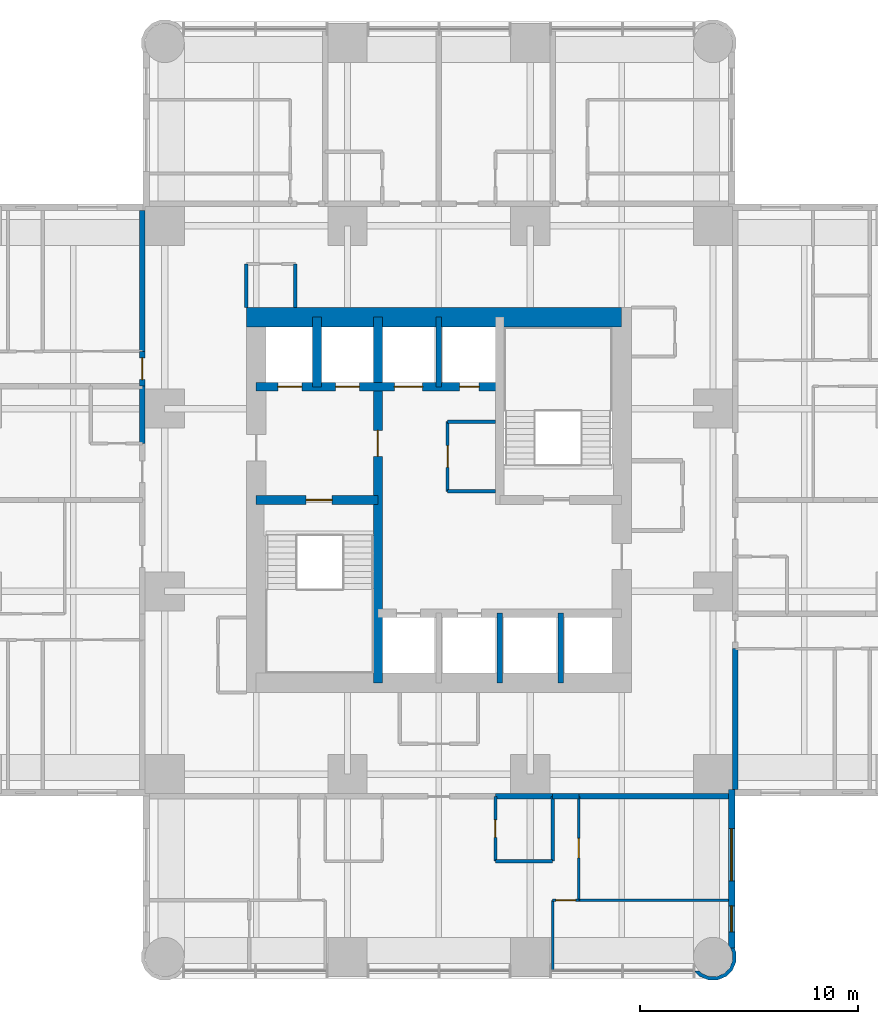
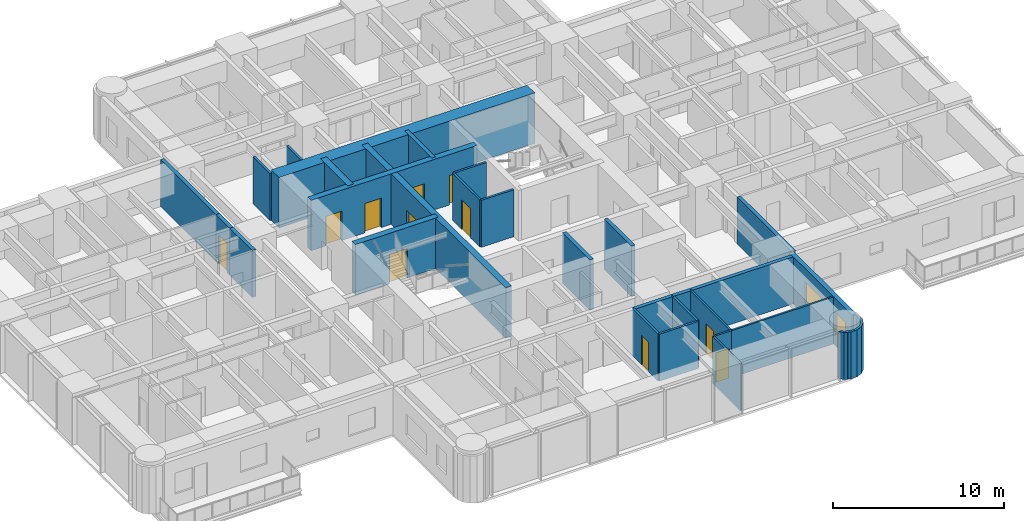
# One storey, part 8 of 14: 29 walls, 11 doors, 2 windows, 13 openings.
"""IFC4 building model written with IfcOpenShell, lengths in metres."""

from ifc_helpers import new_model, si_unit, direction, frame, frame_2d, origin, place, context, subcontext, project, spatial, polyline, rectangle, outline, extrude, material, layer, layer_set, type_object, element, fill, save


model = new_model("IFC4")

# Units and contexts
model_context = context("Model", 3, precision=1e-05, world=origin(), true_north=direction((0.0, 1.0)))
body_context = subcontext(model_context, "Body", "Model", "MODEL_VIEW")
ifc_project = project(units=[si_unit("LENGTHUNIT", "METRE"), si_unit("AREAUNIT", "SQUARE_METRE"), si_unit("VOLUMEUNIT", "CUBIC_METRE"), si_unit("PLANEANGLEUNIT", "RADIAN"), si_unit("MASSUNIT", "GRAM", prefix="KILO")], contexts=[model_context])

# Site, building, storey
site_placement = place(None, origin())
site = spatial("IfcSite", under=ifc_project, at=site_placement, CompositionType="ELEMENT")
building_placement = place(site_placement, origin())
building = spatial("IfcBuilding", under=site, at=building_placement, Name="Torre Alcanfor", CompositionType="ELEMENT")
storey_placement = place(building_placement, frame((0.0, 0.0, 173.699951171875)))
storey = spatial("IfcBuildingStorey", under=building, at=storey_placement, Name="L45", CompositionType="ELEMENT", Elevation=173.699951171875)

# Walls
ifc_material_1 = material(Name="Concrete block masonry, hollow blocks NMX-C-404 9 MPa", Category="masonry")
ifc_layer_1 = layer(ifc_material_1, 0.25)
ifc_layer_set_1 = layer_set([ifc_layer_1], Name="Apartment entrance wall 250 EI 60")
wall_type_1 = type_object("IfcWallType", Name="Apartment entrance wall 250 EI 60", PredefinedType="PARTITIONING", material=ifc_layer_set_1)
wall_1_placement = place(storey_placement, frame((43.02490234375, 22.571044921875, 0.0), z_axis=(0.0, 0.0, 1.0), x_axis=(0.0, -1.0, 0.0)))
element("IfcWall", 1, at=wall_1_placement, inside=storey, type_object=wall_type_1, Name="Partition L45-CORR / L45-E2B-BED2", PredefinedType="PARTITIONING", context=body_context, shape_type="SweptSolid", body=[
    extrude(rectangle(XDim=6.470947265625, YDim=0.25, at=frame_2d((3.2353515625, 0.0))), origin(), (0.0, 0.0, 1.0), 3.35009765625),
])
wall_2_placement = place(storey_placement, frame((34.62890625, 15.77490234375, 0.0), z_axis=(0.0, 0.0, 1.0), x_axis=(-1.0, 0.0, 0.0)))
element("IfcWall", 2, at=wall_2_placement, inside=storey, type_object=wall_type_1, Name="Partition L45-CORR / L45-SX-BATH2", PredefinedType="PARTITIONING", context=body_context, shape_type="SweptSolid", body=[
    extrude(rectangle(XDim=2.62890625, YDim=0.25, at=frame_2d((1.314453125, 0.0))), origin(), (0.0, 0.0, 1.0), 3.35009765625),
])
wall_3_placement = place(storey_placement, frame((35.8291015625, 15.77490234375, 0.0), z_axis=(0.0, 0.0, 1.0), x_axis=(-1.0, 0.0, 0.0)))
element("IfcWall", 3, at=wall_3_placement, inside=storey, type_object=wall_type_1, Name="Partition L45-CORR / L45-SX-LIVING", PredefinedType="PARTITIONING", context=body_context, shape_type="SweptSolid", body=[
    extrude(rectangle(XDim=1.2001953125, YDim=0.25, at=frame_2d((0.60009765625, 0.0))), origin(), (0.0, 0.0, 1.0), 3.35009765625),
])
wall_4_placement = place(storey_placement, frame((42.699951171875, 15.77490234375, 0.0), z_axis=(0.0, 0.0, 1.0), x_axis=(-1.0, 0.0, 0.0)))
element("IfcWall", 4, at=wall_4_placement, inside=storey, type_object=wall_type_1, Name="Partition L45-CORR / L45-SX-BED2", PredefinedType="PARTITIONING", context=body_context, shape_type="SweptSolid", body=[
    extrude(rectangle(XDim=6.870849609375, YDim=0.25, at=frame_2d((3.435546875, 0.0))), origin(), (0.0, 0.0, 1.0), 3.35009765625),
])
wall_5_placement = place(storey_placement, frame((15.77490234375, 32.0, 0.0), z_axis=(0.0, 0.0, 1.0), x_axis=(0.0, 1.0, 0.0)))
element("IfcWall", 5, at=wall_5_placement, inside=storey, type_object=wall_type_1, Name="Partition L45-CORR / L45-W2A-BATH", PredefinedType="PARTITIONING", context=body_context, shape_type="SweptSolid", body=[
    extrude(rectangle(XDim=2.62890625, YDim=0.25, at=frame_2d((1.314453125, 0.0))), origin(), (0.0, 0.0, 1.0), 3.35009765625),
])

# Wall, opening, door
wall_6_placement = place(storey_placement, frame((15.77490234375, 34.62890625, 0.0), z_axis=(0.0, 0.0, 1.0), x_axis=(0.0, 1.0, 0.0)))
wall_6 = element("IfcWall", 6, at=wall_6_placement, inside=storey, type_object=wall_type_1, Name="Partition L45-CORR / L45-W2B-HALL", PredefinedType="PARTITIONING", context=body_context, shape_type="SweptSolid", body=[
    extrude(rectangle(XDim=1.60009765625, YDim=0.25, at=frame_2d((0.800048828125, 0.0))), origin(), (0.0, 0.0, 1.0), 3.35009765625),
])
opening_1_placement = place(wall_6_placement, frame((0.300048828125, 0.0, 0.0)))
opening_1 = element("IfcOpeningElement", 7, at=opening_1_placement, cuts=wall_6, Name="Opening D-A1", PredefinedType="OPENING", context=body_context, shape_type="SweptSolid", body=[
    extrude(rectangle(XDim=1.0, YDim=2.10009765625, at=frame_2d((0.5, 1.050048828125))), frame((0.0, 0.135009765625, 0.0), z_axis=(0.0, -1.0, 0.0), x_axis=(1.0, 0.0, 0.0)), (0.0, 0.0, 1.0), 0.27001953125),
])
ifc_material_2 = material(Name="Galvanised steel sheet ASTM A653", Category="steel")
door_type_1 = type_object("IfcDoorType", Name="Apartment entrance door FD60 1000x2100", OperationType="SINGLE_SWING_LEFT", PredefinedType="DOOR", material=ifc_material_2)
door_1_placement = place(opening_1_placement, origin())
door_1 = element("IfcDoor", 8, at=door_1_placement, inside=storey, type_object=door_type_1, Name="Apartment entrance L45-W2B", OperationType="SINGLE_SWING_LEFT", OverallHeight=2.10009765625, OverallWidth=1.0, PredefinedType="DOOR", context=body_context, shape_type="SweptSolid", body=[
    extrude(rectangle(XDim=1.0, YDim=2.10009765625, at=frame_2d((0.5, 1.050048828125))), frame((0.0, 0.02490234375, 0.0), z_axis=(0.0, -1.0, 0.0), x_axis=(1.0, 0.0, 0.0)), (0.0, 0.0, 1.0), 0.050048828125),
])
fill(opening_1, door_1)

# Wall
wall_7_placement = place(storey_placement, frame((15.77490234375, 36.22900390625, 0.0), z_axis=(0.0, 0.0, 1.0), x_axis=(0.0, 1.0, 0.0)))
element("IfcWall", 9, at=wall_7_placement, inside=storey, type_object=wall_type_1, Name="Partition L45-CORR / L45-W2B-MASTER", PredefinedType="PARTITIONING", context=body_context, shape_type="SweptSolid", body=[
    extrude(rectangle(XDim=6.470947265625, YDim=0.25, at=frame_2d((3.2353515625, 0.0))), origin(), (0.0, 0.0, 1.0), 3.35009765625),
])

# Wall, opening, door
ifc_material_3 = material(Name="Gypsum board on steel studs", Category="steel")
ifc_layer_2 = layer(ifc_material_3, 0.1201171875)
ifc_layer_set_2 = layer_set([ifc_layer_2], Name="Apartment partition 120")
wall_type_2 = type_object("IfcWallType", Name="Apartment partition 120", PredefinedType="PARTITIONING", material=ifc_layer_set_2)
wall_8_placement = place(storey_placement, frame((35.8291015625, 15.77490234375, 0.0), z_axis=(0.0, 0.0, 1.0), x_axis=(0.0, -1.0, 0.0)))
wall_8 = element("IfcWall", 10, at=wall_8_placement, inside=storey, type_object=wall_type_2, Name="Partition L45-SX-LIVING / L45-SX-BED2", PredefinedType="PARTITIONING", context=body_context, shape_type="SweptSolid", body=[
    extrude(rectangle(XDim=4.77490234375, YDim=0.1201171875, at=frame_2d((2.387451171875, 0.0))), origin(), (0.0, 0.0, 1.0), 3.35009765625),
])
opening_2_placement = place(wall_8_placement, frame((1.925048828125, 0.0, 0.0)))
opening_2 = element("IfcOpeningElement", 11, at=opening_2_placement, cuts=wall_8, Name="Opening D-R1", PredefinedType="OPENING", context=body_context, shape_type="SweptSolid", body=[
    extrude(rectangle(XDim=0.89990234375, YDim=2.10009765625, at=frame_2d((0.449951171875, 1.050048828125))), frame((0.0, 0.070068359375, 0.0), z_axis=(0.0, -1.0, 0.0), x_axis=(1.0, 0.0, 0.0)), (0.0, 0.0, 1.0), 0.14013671875),
])
ifc_material_4 = material(Name="Timber", Category="wood")
door_type_2 = type_object("IfcDoorType", Name="Internal door 900x2100", OperationType="SINGLE_SWING_LEFT", PredefinedType="DOOR", material=ifc_material_4)
door_2_placement = place(opening_2_placement, origin())
door_2 = element("IfcDoor", 12, at=door_2_placement, inside=storey, type_object=door_type_2, Name="Door L45-SX bed2", OperationType="SINGLE_SWING_LEFT", OverallHeight=2.10009765625, OverallWidth=0.89990234375, PredefinedType="DOOR", context=body_context, shape_type="SweptSolid", body=[
    extrude(rectangle(XDim=0.89990234375, YDim=2.10009765625, at=frame_2d((0.449951171875, 1.050048828125))), frame((0.0, 0.02490234375, 0.0), z_axis=(0.0, -1.0, 0.0), x_axis=(1.0, 0.0, 0.0)), (0.0, 0.0, 1.0), 0.050048828125),
])
fill(opening_2, door_2)

wall_9_placement = place(storey_placement, frame((35.8291015625, 11.0, 0.0), z_axis=(0.0, 0.0, 1.0), x_axis=(-1.0, 0.0, 0.0)))
wall_9 = element("IfcWall", 13, at=wall_9_placement, inside=storey, type_object=wall_type_2, Name="Partition L45-SX-LIVING / L45-SX-MASTER", PredefinedType="PARTITIONING", context=body_context, shape_type="SweptSolid", body=[
    extrude(rectangle(XDim=1.2001953125, YDim=0.1201171875, at=frame_2d((0.60009765625, 0.0))), origin(), (0.0, 0.0, 1.0), 3.35009765625),
])
opening_3_placement = place(wall_9_placement, frame((0.14892578125, 0.0, 0.0)))
opening_3 = element("IfcOpeningElement", 14, at=opening_3_placement, cuts=wall_9, Name="Opening D-R1", PredefinedType="OPENING", context=body_context, shape_type="SweptSolid", body=[
    extrude(rectangle(XDim=0.89990234375, YDim=2.10009765625, at=frame_2d((0.449951171875, 1.050048828125))), frame((0.0, 0.070068359375, 0.0), z_axis=(0.0, -1.0, 0.0), x_axis=(1.0, 0.0, 0.0)), (0.0, 0.0, 1.0), 0.14013671875),
])
door_3_placement = place(opening_3_placement, origin())
door_3 = element("IfcDoor", 15, at=door_3_placement, inside=storey, type_object=door_type_2, Name="Door L45-SX master", OperationType="SINGLE_SWING_RIGHT", OverallHeight=2.10009765625, OverallWidth=0.89990234375, PredefinedType="DOOR", context=body_context, shape_type="SweptSolid", body=[
    extrude(rectangle(XDim=0.89990234375, YDim=2.10009765625, at=frame_2d((0.449951171875, 1.050048828125))), frame((0.0, 0.02490234375, 0.0), z_axis=(0.0, -1.0, 0.0), x_axis=(1.0, 0.0, 0.0)), (0.0, 0.0, 1.0), 0.050048828125),
])
fill(opening_3, door_3)

# Walls
wall_10_placement = place(storey_placement, frame((34.62890625, 11.0, 0.0), z_axis=(0.0, 0.0, 1.0), x_axis=(0.0, -1.0, 0.0)))
element("IfcWall", 16, at=wall_10_placement, inside=storey, type_object=wall_type_2, Name="Partition L45-SX-LIVING / L45-SX-MASTER", PredefinedType="PARTITIONING", context=body_context, shape_type="SweptSolid", body=[
    extrude(rectangle(XDim=3.25, YDim=0.1201171875, at=frame_2d((1.625, 0.0))), origin(), (0.0, 0.0, 1.0), 3.35009765625),
])
wall_11_placement = place(storey_placement, frame((35.8291015625, 11.0, 0.0), z_axis=(0.0, 0.0, 1.0), x_axis=(1.0, 0.0, 0.0)))
element("IfcWall", 17, at=wall_11_placement, inside=storey, type_object=wall_type_2, Name="Partition L45-SX-BED2 / L45-SX-MASTER", PredefinedType="PARTITIONING", context=body_context, shape_type="SweptSolid", body=[
    extrude(rectangle(XDim=6.870849609375, YDim=0.1201171875, at=frame_2d((3.435546875, 0.0))), origin(), (0.0, 0.0, 1.0), 3.35009765625),
])

# Wall, opening, door
ifc_material_5 = material(Name="Concrete f'c 70 MPa", Category="concrete")
ifc_layer_3 = layer(ifc_material_5, 0.39990234375)
ifc_layer_set_3 = layer_set([ifc_layer_3], Name="Core inner wall 400 f'c70")
wall_type_3 = type_object("IfcWallType", Name="Core inner wall 400 f'c70", PredefinedType="SHEAR", material=ifc_layer_set_3)
wall_12_placement = place(storey_placement, frame((26.60009765625, 21.0, 0.0), z_axis=(0.0, 0.0, 1.0), x_axis=(0.0, 1.0, 0.0)))
wall_12 = element("IfcWall", 18, at=wall_12_placement, inside=storey, type_object=wall_type_3, Name="Core wall X266 L45", PredefinedType="SHEAR", context=body_context, shape_type="SweptSolid", body=[
    extrude(rectangle(XDim=16.800048828125, YDim=0.39990234375, at=frame_2d((8.39990234375, 0.0))), origin(), (0.0, 0.0, 1.0), 3.60009765625),
])
opening_4_placement = place(wall_12_placement, frame((10.39990234375, 0.0, 0.0)))
opening_4 = element("IfcOpeningElement", 19, at=opening_4_placement, cuts=wall_12, Name="Opening D-L1", PredefinedType="OPENING", context=body_context, shape_type="SweptSolid", body=[
    extrude(rectangle(XDim=1.199951171875, YDim=2.10009765625, at=frame_2d((0.60009765625, 1.050048828125))), frame((0.0, 0.2099609375, 0.0), z_axis=(0.0, -1.0, 0.0), x_axis=(1.0, 0.0, 0.0)), (0.0, 0.0, 1.0), 0.419921875),
])
ifc_material_6 = material(Name="Galvanised steel sheet ASTM A653", Category="steel")
door_type_3 = type_object("IfcDoorType", Name="Lobby door FD120 1200x2100", OperationType="SINGLE_SWING_LEFT", PredefinedType="DOOR", material=ifc_material_6)
door_4_placement = place(opening_4_placement, origin())
door_4 = element("IfcDoor", 20, at=door_4_placement, inside=storey, type_object=door_type_3, Name="Lift lobby door L45", OperationType="SINGLE_SWING_LEFT", OverallHeight=2.10009765625, OverallWidth=1.199951171875, PredefinedType="DOOR", context=body_context, shape_type="SweptSolid", body=[
    extrude(rectangle(XDim=1.199951171875, YDim=2.10009765625, at=frame_2d((0.60009765625, 1.050048828125))), frame((0.0, 0.02490234375, 0.0), z_axis=(0.0, -1.0, 0.0), x_axis=(1.0, 0.0, 0.0)), (0.0, 0.0, 1.0), 0.050048828125),
])
fill(opening_4, door_4)

wall_13_placement = place(storey_placement, frame((21.0, 29.39990234375, 0.0), z_axis=(0.0, 0.0, 1.0), x_axis=(1.0, 0.0, 0.0)))
wall_13 = element("IfcWall", 21, at=wall_13_placement, inside=storey, type_object=wall_type_3, Name="Core wall Y294W L45", PredefinedType="SHEAR", context=body_context, shape_type="SweptSolid", body=[
    extrude(rectangle(XDim=5.60009765625, YDim=0.39990234375, at=frame_2d((2.800048828125, 0.0))), origin(), (0.0, 0.0, 1.0), 3.60009765625),
])
opening_5_placement = place(wall_13_placement, frame((2.300048828125, 0.0, 0.0)))
opening_5 = element("IfcOpeningElement", 22, at=opening_5_placement, cuts=wall_13, Name="Opening D-S2", PredefinedType="OPENING", context=body_context, shape_type="SweptSolid", body=[
    extrude(rectangle(XDim=1.199951171875, YDim=2.10009765625, at=frame_2d((0.60009765625, 1.050048828125))), frame((0.0, 0.2099609375, 0.0), z_axis=(0.0, -1.0, 0.0), x_axis=(1.0, 0.0, 0.0)), (0.0, 0.0, 1.0), 0.419921875),
])
ifc_material_7 = material(Name="Galvanised steel sheet ASTM A653", Category="steel")
door_type_4 = type_object("IfcDoorType", Name="Stair enclosure door FD120 1200x2100", OperationType="SINGLE_SWING_LEFT", PredefinedType="DOOR", material=ifc_material_7)
door_5_placement = place(opening_5_placement, frame((1.199951171875, 0.0, 0.0), z_axis=(0.0, 0.0, 1.0), x_axis=(-1.0, 0.0, 0.0)))
door_5 = element("IfcDoor", 23, at=door_5_placement, inside=storey, type_object=door_type_4, Name="Stair S1 door L45", OperationType="SINGLE_SWING_LEFT", OverallHeight=2.10009765625, OverallWidth=1.199951171875, PredefinedType="DOOR", context=body_context, shape_type="SweptSolid", body=[
    extrude(rectangle(XDim=1.199951171875, YDim=2.10009765625, at=frame_2d((0.599853515625, 1.050048828125))), frame((0.0, 0.025146484375, 0.0), z_axis=(0.0, -1.0, 0.0), x_axis=(1.0, 0.0, 0.0)), (0.0, 0.0, 1.0), 0.050048828125),
])
fill(opening_5, door_5)

# Wall, openings, doors
wall_14_placement = place(storey_placement, frame((21.0, 34.60009765625, 0.0), z_axis=(0.0, 0.0, 1.0), x_axis=(1.0, 0.0, 0.0)))
wall_14 = element("IfcWall", 24, at=wall_14_placement, inside=storey, type_object=wall_type_3, Name="Core wall Y346 L45", PredefinedType="SHEAR", context=body_context, shape_type="SweptSolid", body=[
    extrude(rectangle(XDim=11.199951171875, YDim=0.39990234375, at=frame_2d((5.60009765625, 0.0))), origin(), (0.0, 0.0, 1.0), 3.60009765625),
])
opening_6_placement = place(wall_14_placement, frame((9.35009765625, 0.0, 0.0)))
opening_6 = element("IfcOpeningElement", 25, at=opening_6_placement, cuts=wall_14, Name="Opening D-Q1", PredefinedType="OPENING", context=body_context, shape_type="SweptSolid", body=[
    extrude(rectangle(XDim=0.89990234375, YDim=2.10009765625, at=frame_2d((0.449951171875, 1.050048828125))), frame((0.0, 0.2099609375, 0.0), z_axis=(0.0, -1.0, 0.0), x_axis=(1.0, 0.0, 0.0)), (0.0, 0.0, 1.0), 0.419921875),
])
opening_7_placement = place(wall_14_placement, frame((1.0, 0.0, 0.0)))
opening_7 = element("IfcOpeningElement", 26, at=opening_7_placement, cuts=wall_14, Name="Opening LD2", PredefinedType="OPENING", context=body_context, shape_type="SweptSolid", body=[
    extrude(rectangle(XDim=1.10009765625, YDim=2.10009765625, at=frame_2d((0.550048828125, 1.050048828125))), frame((0.0, 0.2099609375, 0.0), z_axis=(0.0, -1.0, 0.0), x_axis=(1.0, 0.0, 0.0)), (0.0, 0.0, 1.0), 0.419921875),
])
opening_8_placement = place(wall_14_placement, frame((3.64990234375, 0.0, 0.0)))
opening_8 = element("IfcOpeningElement", 27, at=opening_8_placement, cuts=wall_14, Name="Opening LD2", PredefinedType="OPENING", context=body_context, shape_type="SweptSolid", body=[
    extrude(rectangle(XDim=1.10009765625, YDim=2.10009765625, at=frame_2d((0.550048828125, 1.050048828125))), frame((0.0, 0.2099609375, 0.0), z_axis=(0.0, -1.0, 0.0), x_axis=(1.0, 0.0, 0.0)), (0.0, 0.0, 1.0), 0.419921875),
])
opening_9_placement = place(wall_14_placement, frame((6.35009765625, 0.0, 0.0)))
opening_9 = element("IfcOpeningElement", 28, at=opening_9_placement, cuts=wall_14, Name="Opening LD3", PredefinedType="OPENING", context=body_context, shape_type="SweptSolid", body=[
    extrude(rectangle(XDim=1.300048828125, YDim=2.10009765625, at=frame_2d((0.64990234375, 1.050048828125))), frame((0.0, 0.2099609375, 0.0), z_axis=(0.0, -1.0, 0.0), x_axis=(1.0, 0.0, 0.0)), (0.0, 0.0, 1.0), 0.419921875),
])
ifc_material_8 = material(Name="Galvanised steel sheet ASTM A653", Category="steel")
door_type_5 = type_object("IfcDoorType", Name="Firefighting lift landing door 1100x2100", OperationType="DOUBLE_DOOR_SLIDING", PredefinedType="DOOR", material=ifc_material_8)
door_6_placement = place(opening_7_placement, origin())
door_6 = element("IfcDoor", 29, at=door_6_placement, inside=storey, type_object=door_type_5, Name="Lift landing door FL1 L45", OperationType="DOUBLE_DOOR_SLIDING", OverallHeight=2.10009765625, OverallWidth=1.10009765625, PredefinedType="DOOR", context=body_context, shape_type="SweptSolid", body=[
    extrude(rectangle(XDim=1.10009765625, YDim=2.10009765625, at=frame_2d((0.550048828125, 1.050048828125))), frame((0.0, 0.02490234375, 0.0), z_axis=(0.0, -1.0, 0.0), x_axis=(1.0, 0.0, 0.0)), (0.0, 0.0, 1.0), 0.050048828125),
])
fill(opening_7, door_6)
door_7_placement = place(opening_8_placement, origin())
door_7 = element("IfcDoor", 30, at=door_7_placement, inside=storey, type_object=door_type_5, Name="Lift landing door FL2 L45", OperationType="DOUBLE_DOOR_SLIDING", OverallHeight=2.10009765625, OverallWidth=1.10009765625, PredefinedType="DOOR", context=body_context, shape_type="SweptSolid", body=[
    extrude(rectangle(XDim=1.10009765625, YDim=2.10009765625, at=frame_2d((0.550048828125, 1.050048828125))), frame((0.0, 0.02490234375, 0.0), z_axis=(0.0, -1.0, 0.0), x_axis=(1.0, 0.0, 0.0)), (0.0, 0.0, 1.0), 0.050048828125),
])
fill(opening_8, door_7)
ifc_material_9 = material(Name="Galvanised steel sheet ASTM A653", Category="steel")
door_type_6 = type_object("IfcDoorType", Name="Riser access door FD120 900x2100", OperationType="SINGLE_SWING_LEFT", PredefinedType="DOOR", material=ifc_material_9)
door_8_placement = place(opening_6_placement, origin())
door_8 = element("IfcDoor", 31, at=door_8_placement, inside=storey, type_object=door_type_6, Name="Riser door L45", OperationType="SINGLE_SWING_LEFT", OverallHeight=2.10009765625, OverallWidth=0.89990234375, PredefinedType="DOOR", context=body_context, shape_type="SweptSolid", body=[
    extrude(rectangle(XDim=0.89990234375, YDim=2.10009765625, at=frame_2d((0.449951171875, 1.050048828125))), frame((0.0, 0.02490234375, 0.0), z_axis=(0.0, -1.0, 0.0), x_axis=(1.0, 0.0, 0.0)), (0.0, 0.0, 1.0), 0.050048828125),
])
fill(opening_6, door_8)
ifc_material_10 = material(Name="Galvanised steel sheet ASTM A653", Category="steel")
door_type_7 = type_object("IfcDoorType", Name="Service lift landing door 1300x2100", OperationType="DOUBLE_DOOR_SLIDING", PredefinedType="DOOR", material=ifc_material_10)
door_9_placement = place(opening_9_placement, origin())
door_9 = element("IfcDoor", 32, at=door_9_placement, inside=storey, type_object=door_type_7, Name="Lift landing door SL1 L45", OperationType="DOUBLE_DOOR_SLIDING", OverallHeight=2.10009765625, OverallWidth=1.300048828125, PredefinedType="DOOR", context=body_context, shape_type="SweptSolid", body=[
    extrude(rectangle(XDim=1.300048828125, YDim=2.10009765625, at=frame_2d((0.64990234375, 1.050048828125))), frame((0.0, 0.02490234375, 0.0), z_axis=(0.0, -1.0, 0.0), x_axis=(1.0, 0.0, 0.0)), (0.0, 0.0, 1.0), 0.050048828125),
])
fill(opening_9, door_9)

# Walls
wall_15_placement = place(storey_placement, frame((23.800048828125, 34.60009765625, 0.0), z_axis=(0.0, 0.0, 1.0), x_axis=(0.0, 1.0, 0.0)))
element("IfcWall", 33, at=wall_15_placement, inside=storey, type_object=wall_type_3, Name="Core wall X238 L45", PredefinedType="SHEAR", context=body_context, shape_type="SweptSolid", body=[
    extrude(rectangle(XDim=3.199951171875, YDim=0.39990234375, at=frame_2d((1.60009765625, 0.0))), origin(), (0.0, 0.0, 1.0), 3.60009765625),
])
ifc_material_11 = material(Name="Concrete f'c 70 MPa", Category="concrete")
ifc_layer_4 = layer(ifc_material_11, 0.25)
ifc_layer_set_4 = layer_set([ifc_layer_4], Name="Core shaft wall 250 f'c70")
wall_type_4 = type_object("IfcWallType", Name="Core shaft wall 250 f'c70", PredefinedType="SHEAR", material=ifc_layer_set_4)
for number, where, z_axis, x_axis, name in (
    (34, (32.199951171875, 21.0, 0.0), (0.0, 0.0, 1.0), (0.0, 1.0, 0.0), "Core wall X322S L45"),
    (35, (35.0, 21.0, 0.0), (0.0, 0.0, 1.0), (0.0, 1.0, 0.0), "Core wall X350S L45"),
    (36, (29.39990234375, 34.60009765625, 0.0), (0.0, 0.0, 1.0), (0.0, 1.0, 0.0), "Core wall X294N L45"),
):
    element("IfcWall", number, at=place(storey_placement, frame(where, z_axis=z_axis, x_axis=x_axis)), inside=storey, type_object=wall_type_4, Name=name, PredefinedType="SHEAR", context=body_context, shape_type="SweptSolid", body=[
        extrude(rectangle(XDim=3.199951171875, YDim=0.25, at=frame_2d((1.60009765625, 0.0))), origin(), (0.0, 0.0, 1.0), 3.60009765625),
    ])
ifc_material_12 = material(Name="Concrete f'c 70 MPa", Category="concrete")
ifc_layer_5 = layer(ifc_material_12, 0.89990234375)
ifc_layer_set_5 = layer_set([ifc_layer_5], Name="Core wall 900 f'c70")
wall_type_5 = type_object("IfcWallType", Name="Core wall 900 f'c70", PredefinedType="SHEAR", material=ifc_layer_set_5)
wall_16_placement = place(storey_placement, frame((37.800048828125, 37.800048828125, 0.0), z_axis=(0.0, 0.0, 1.0), x_axis=(-1.0, 0.0, 0.0)))
element("IfcWall", 37, at=wall_16_placement, inside=storey, type_object=wall_type_5, Name="Core wall OUT-N L45", PredefinedType="SHEAR", context=body_context, shape_type="SweptSolid", body=[
    extrude(rectangle(XDim=17.25, YDim=0.89990234375, at=frame_2d((8.625, 0.0))), origin(), (0.0, 0.0, 1.0), 3.60009765625),
])

# Wall, openings, windows
ifc_material_13 = material(Name="Limestone cladding", Category="masonry")
ifc_layer_6 = layer(ifc_material_13, 0.0400390625, Name="Facing")
ifc_material_14 = material(Name="Ventilated air cavity")
ifc_layer_7 = layer(ifc_material_14, 0.02001953125, ventilated=True, Name="Ventilated joint")
ifc_material_15 = material(Name="Mineral wool insulation", Category="insulation")
ifc_layer_8 = layer(ifc_material_15, 0.10009765625, Name="Insulation")
ifc_material_16 = material(Name="Concrete f'c 35 MPa", Category="concrete")
ifc_layer_9 = layer(ifc_material_16, 0.139892578125, Name="Backing")
ifc_layer_set_6 = layer_set([ifc_layer_6, ifc_layer_7, ifc_layer_8, ifc_layer_9], Name="External wall stone-clad 300")
wall_type_6 = type_object("IfcWallType", Name="External wall stone-clad 300", PredefinedType="SOLIDWALL", material=ifc_layer_set_6)
wall_17_placement = place(storey_placement, frame((42.85009765625, 8.800048828125, 0.0), z_axis=(0.0, 0.0, 1.0), x_axis=(0.0, 1.0, 0.0)))
wall_17 = element("IfcWall", 38, at=wall_17_placement, inside=storey, type_object=wall_type_6, Name="External wall L45 6", PredefinedType="SOLIDWALL", context=body_context, shape_type="SweptSolid", body=[
    extrude(rectangle(XDim=7.300048828125, YDim=0.300048828125, at=frame_2d((3.64990234375, 0.0))), origin(), (0.0, 0.0, 1.0), 3.35009765625),
])
opening_10_placement = place(wall_17_placement, frame((3.10009765625, 0.0, 0.89990234375)))
opening_10 = element("IfcOpeningElement", 39, at=opening_10_placement, cuts=wall_17, Name="Opening W1", PredefinedType="OPENING", context=body_context, shape_type="SweptSolid", body=[
    extrude(rectangle(XDim=2.39990234375, YDim=1.5, at=frame_2d((1.199951171875, 0.75))), frame((0.0, 0.159912109375, 0.0), z_axis=(0.0, -1.0, 0.0), x_axis=(1.0, 0.0, 0.0)), (0.0, 0.0, 1.0), 0.320068359375),
])
opening_11_placement = place(wall_17_placement, frame((0.75, 0.0, 0.89990234375)))
opening_11 = element("IfcOpeningElement", 40, at=opening_11_placement, cuts=wall_17, Name="Opening W4", PredefinedType="OPENING", context=body_context, shape_type="SweptSolid", body=[
    extrude(rectangle(XDim=1.199951171875, YDim=1.5, at=frame_2d((0.60009765625, 0.75))), frame((0.0, 0.159912109375, 0.0), z_axis=(0.0, -1.0, 0.0), x_axis=(1.0, 0.0, 0.0)), (0.0, 0.0, 1.0), 0.320068359375),
])
ifc_material_17 = material(Name="Aluminium frame with clear double glazing", Category="aluminium")
window_type_1 = type_object("IfcWindowType", Name="Window bedroom 1200x1500", PartitioningType="SINGLE_PANEL", PredefinedType="WINDOW", material=ifc_material_17)
window_1_placement = place(opening_11_placement, origin())
window_1 = element("IfcWindow", 41, at=window_1_placement, inside=storey, type_object=window_type_1, Name="Window W4 L45-S1", OverallHeight=1.5, OverallWidth=1.199951171875, PartitioningType="SINGLE_PANEL", PredefinedType="WINDOW", context=body_context, shape_type="SweptSolid", body=[
    extrude(rectangle(XDim=1.199951171875, YDim=1.5, at=frame_2d((0.60009765625, 0.75))), frame((0.0, 0.030029296875, 0.0), z_axis=(0.0, -1.0, 0.0), x_axis=(1.0, 0.0, 0.0)), (0.0, 0.0, 1.0), 0.06005859375),
])
fill(opening_11, window_1)
ifc_material_18 = material(Name="Aluminium frame with clear double glazing", Category="aluminium")
window_type_2 = type_object("IfcWindowType", Name="Window bedroom 2400x1500", PartitioningType="SINGLE_PANEL", PredefinedType="WINDOW", material=ifc_material_18)
window_2_placement = place(opening_10_placement, origin())
window_2 = element("IfcWindow", 42, at=window_2_placement, inside=storey, type_object=window_type_2, Name="Window W1 L45-S1", OverallHeight=1.5, OverallWidth=2.39990234375, PartitioningType="SINGLE_PANEL", PredefinedType="WINDOW", context=body_context, shape_type="SweptSolid", body=[
    extrude(rectangle(XDim=2.39990234375, YDim=1.5, at=frame_2d((1.199951171875, 0.75))), frame((0.0, 0.030029296875, 0.0), z_axis=(0.0, -1.0, 0.0), x_axis=(1.0, 0.0, 0.0)), (0.0, 0.0, 1.0), 0.06005859375),
])
fill(opening_10, window_2)

# Walls
ifc_material_19 = material(Name="Concrete block masonry, hollow blocks NMX-C-404 9 MPa", Category="masonry")
ifc_layer_10 = layer(ifc_material_19, 0.14990234375)
ifc_layer_set_7 = layer_set([ifc_layer_10], Name="Residents' room partition 150")
wall_type_7 = type_object("IfcWallType", Name="Residents' room partition 150", PredefinedType="PARTITIONING", material=ifc_layer_set_7)
for number, where, z_axis, x_axis, name in (
    (43, (22.800048828125, 38.25, 0.0), (0.0, 0.0, 1.0), (0.0, 1.0, 0.0), "Partition L45-CORR / L45-G01"),
    (44, (20.550048828125, 40.25, 0.0), (0.0, 0.0, 1.0), (0.0, -1.0, 0.0), "Partition L45-CORR / L45-G01"),
):
    element("IfcWall", number, at=place(storey_placement, frame(where, z_axis=z_axis, x_axis=x_axis)), inside=storey, type_object=wall_type_7, Name=name, PredefinedType="PARTITIONING", context=body_context, shape_type="SweptSolid", body=[
        extrude(rectangle(XDim=2.0, YDim=0.14990234375, at=frame_2d((1.0, 0.0))), origin(), (0.0, 0.0, 1.0), 3.35009765625),
    ])
wall_18_placement = place(storey_placement, frame((32.0, 29.800048828125, 0.0), z_axis=(0.0, 0.0, 1.0), x_axis=(-1.0, 0.0, 0.0)))
element("IfcWall", 45, at=wall_18_placement, inside=storey, type_object=wall_type_7, Name="Partition L45-LL / L45-CR1", PredefinedType="PARTITIONING", context=body_context, shape_type="SweptSolid", body=[
    extrude(rectangle(XDim=2.199951171875, YDim=0.14990234375, at=frame_2d((1.10009765625, 0.0))), origin(), (0.0, 0.0, 1.0), 3.35009765625),
])

# Wall, opening, door
wall_19_placement = place(storey_placement, frame((29.800048828125, 29.800048828125, 0.0), z_axis=(0.0, 0.0, 1.0), x_axis=(0.0, 1.0, 0.0)))
wall_19 = element("IfcWall", 46, at=wall_19_placement, inside=storey, type_object=wall_type_7, Name="Partition L45-LL / L45-CR1", PredefinedType="PARTITIONING", context=body_context, shape_type="SweptSolid", body=[
    extrude(rectangle(XDim=3.199951171875, YDim=0.14990234375, at=frame_2d((1.60009765625, 0.0))), origin(), (0.0, 0.0, 1.0), 3.35009765625),
])
opening_12_placement = place(wall_19_placement, frame((1.10009765625, 0.0, 0.0)))
opening_12 = element("IfcOpeningElement", 47, at=opening_12_placement, cuts=wall_19, Name="Opening D-M1", PredefinedType="OPENING", context=body_context, shape_type="SweptSolid", body=[
    extrude(rectangle(XDim=1.0, YDim=2.10009765625, at=frame_2d((0.5, 1.050048828125))), frame((0.0, 0.0849609375, 0.0), z_axis=(0.0, -1.0, 0.0), x_axis=(1.0, 0.0, 0.0)), (0.0, 0.0, 1.0), 0.169921875),
])
ifc_material_20 = material(Name="Timber", Category="wood")
door_type_8 = type_object("IfcDoorType", Name="Residents' room door 1000x2100", OperationType="SINGLE_SWING_LEFT", PredefinedType="DOOR", material=ifc_material_20)
door_10_placement = place(opening_12_placement, frame((1.0, 0.0, 0.0), z_axis=(0.0, 0.0, 1.0), x_axis=(-1.0, 0.0, 0.0)))
door_10 = element("IfcDoor", 48, at=door_10_placement, inside=storey, type_object=door_type_8, Name="Residents' parcel room door L45", OperationType="SINGLE_SWING_RIGHT", OverallHeight=2.10009765625, OverallWidth=1.0, PredefinedType="DOOR", context=body_context, shape_type="SweptSolid", body=[
    extrude(rectangle(XDim=1.0, YDim=2.10009765625, at=frame_2d((0.5, 1.050048828125))), frame((0.0, 0.025146484375, 0.0), z_axis=(0.0, -1.0, 0.0), x_axis=(1.0, 0.0, 0.0)), (0.0, 0.0, 1.0), 0.050048828125),
])
fill(opening_12, door_10)

# Walls
wall_20_placement = place(storey_placement, frame((29.800048828125, 33.0, 0.0), z_axis=(0.0, 0.0, 1.0), x_axis=(1.0, 0.0, 0.0)))
element("IfcWall", 49, at=wall_20_placement, inside=storey, type_object=wall_type_7, Name="Partition L45-LL / L45-CR1", PredefinedType="PARTITIONING", context=body_context, shape_type="SweptSolid", body=[
    extrude(rectangle(XDim=2.199951171875, YDim=0.14990234375, at=frame_2d((1.10009765625, 0.0))), origin(), (0.0, 0.0, 1.0), 3.35009765625),
])
ifc_layer_11 = layer(ifc_material_13, 0.0400390625, Name="Facing")
ifc_layer_12 = layer(ifc_material_14, 0.02001953125, ventilated=True, Name="Ventilated joint")
ifc_layer_13 = layer(ifc_material_15, 0.10009765625, Name="Insulation")
ifc_layer_14 = layer(ifc_material_16, 0.139892578125, Name="Backing")
ifc_layer_set_8 = layer_set([ifc_layer_11, ifc_layer_12, ifc_layer_13, ifc_layer_14], Name="Rounded corner pier stone-clad 300")
wall_type_8 = type_object("IfcWallType", Name="Rounded corner pier stone-clad 300", PredefinedType="SOLIDWALL", material=ifc_layer_set_8)
wall_21_placement = place(storey_placement, frame((41.23340608, 7.789480744, 0.0), z_axis=(0.0, 0.0, 1.0), x_axis=(0.377204953059, -0.926129809145, 0.0)))
element("IfcWall", 50, at=wall_21_placement, inside=storey, type_object=wall_type_8, Name="Corner pier L45 16", PredefinedType="SOLIDWALL", context=body_context, shape_type="SweptSolid", body=[
    extrude(outline(polyline([(0.3188221367360325, 1.8424968160812525), (-0.07166277058672699, 2.0015380646001097), (-0.24000427352452447, 2.0005081050015594), (-0.269549250210802, 2.0172865767024346), (-0.3699438072570761, 1.8406950343160768), (-0.10231236878147876, 1.842145174106832), (0.22961110773838866, 1.7069555083131536), (0.4845476415603822, 1.4552346247001606), (0.6236550635861208, 1.1249461766610187), (0.6257590263396249, 0.7663652844174852), (0.49056936054594646, 0.43444180789761777), (0.23853027996952475, 0.17937125921818126), (0.09025049501168259, 0.1169203356497861), (0.010960098384736335, -0.07775685323550395), (0.024526453010888946, -0.08328231641508209), (0.32945123502871626, 0.0453300229256597), (0.48001657385947577, 0.19753321657308245), (0.4991180482772686, 0.19265309734843963), (0.5076646161494596, 0.22528724603202818), (0.6258845624036093, 0.3453228699529668), (0.7848337198694737, 0.7355816713652905), (0.7823550336481375, 1.1573188904493026), (0.6188149837633398, 1.5460634887063593), (0.3188221367360325, 1.8424968160812525)])), origin(), (0.0, 0.0, 1.0), 3.35009765625),
])

# Wall, opening, door
ifc_material_21 = material(Name="Cement board on steel studs", Category="steel")
ifc_layer_15 = layer(ifc_material_21, 0.14990234375)
ifc_layer_set_9 = layer_set([ifc_layer_15], Name="Wet area partition 150")
wall_type_9 = type_object("IfcWallType", Name="Wet area partition 150", PredefinedType="PARTITIONING", material=ifc_layer_set_9)
wall_22_placement = place(storey_placement, frame((32.0, 12.800048828125, 0.0), z_axis=(0.0, 0.0, 1.0), x_axis=(0.0, 1.0, 0.0)))
wall_22 = element("IfcWall", 51, at=wall_22_placement, inside=storey, type_object=wall_type_9, Name="Partition L45-SX-ZAG / L45-SX-BATH2", PredefinedType="PARTITIONING", context=body_context, shape_type="SweptSolid", body=[
    extrude(rectangle(XDim=2.974853515625, YDim=0.14990234375, at=frame_2d((1.4873046875, 0.0))), origin(), (0.0, 0.0, 1.0), 3.35009765625),
])
opening_13_placement = place(wall_22_placement, frame((1.10009765625, 0.0, 0.0)))
opening_13 = element("IfcOpeningElement", 52, at=opening_13_placement, cuts=wall_22, Name="Opening D-R2", PredefinedType="OPENING", context=body_context, shape_type="SweptSolid", body=[
    extrude(rectangle(XDim=0.800048828125, YDim=2.10009765625, at=frame_2d((0.39990234375, 1.050048828125))), frame((0.0, 0.0849609375, 0.0), z_axis=(0.0, -1.0, 0.0), x_axis=(1.0, 0.0, 0.0)), (0.0, 0.0, 1.0), 0.169921875),
])
ifc_material_22 = material(Name="Timber", Category="wood")
door_type_9 = type_object("IfcDoorType", Name="Bathroom door 800x2100", OperationType="SINGLE_SWING_LEFT", PredefinedType="DOOR", material=ifc_material_22)
door_11_placement = place(opening_13_placement, frame((0.800048828125, 0.0, 0.0), z_axis=(0.0, 0.0, 1.0), x_axis=(-1.0, 0.0, 0.0)))
door_11 = element("IfcDoor", 53, at=door_11_placement, inside=storey, type_object=door_type_9, Name="Door L45-SX bath2", OperationType="SINGLE_SWING_LEFT", OverallHeight=2.10009765625, OverallWidth=0.800048828125, PredefinedType="DOOR", context=body_context, shape_type="SweptSolid", body=[
    extrude(rectangle(XDim=0.800048828125, YDim=2.10009765625, at=frame_2d((0.400146484375, 1.050048828125))), frame((0.0, 0.025146484375, 0.0), z_axis=(0.0, -1.0, 0.0), x_axis=(1.0, 0.0, 0.0)), (0.0, 0.0, 1.0), 0.050048828125),
])
fill(opening_13, door_11)

# Walls
wall_23_placement = place(storey_placement, frame((32.0, 12.800048828125, 0.0), z_axis=(0.0, 0.0, 1.0), x_axis=(1.0, 0.0, 0.0)))
element("IfcWall", 54, at=wall_23_placement, inside=storey, type_object=wall_type_9, Name="Partition L45-SX-BATH2 / L45-SX-LIVING", PredefinedType="PARTITIONING", context=body_context, shape_type="SweptSolid", body=[
    extrude(rectangle(XDim=2.62890625, YDim=0.14990234375, at=frame_2d((1.314453125, 0.0))), origin(), (0.0, 0.0, 1.0), 3.35009765625),
])
wall_24_placement = place(storey_placement, frame((34.62890625, 12.800048828125, 0.0), z_axis=(0.0, 0.0, 1.0), x_axis=(0.0, 1.0, 0.0)))
element("IfcWall", 55, at=wall_24_placement, inside=storey, type_object=wall_type_9, Name="Partition L45-SX-BATH2 / L45-SX-LIVING", PredefinedType="PARTITIONING", context=body_context, shape_type="SweptSolid", body=[
    extrude(rectangle(XDim=2.974853515625, YDim=0.14990234375, at=frame_2d((1.4873046875, 0.0))), origin(), (0.0, 0.0, 1.0), 3.35009765625),
])

save(model, "model.ifc")
